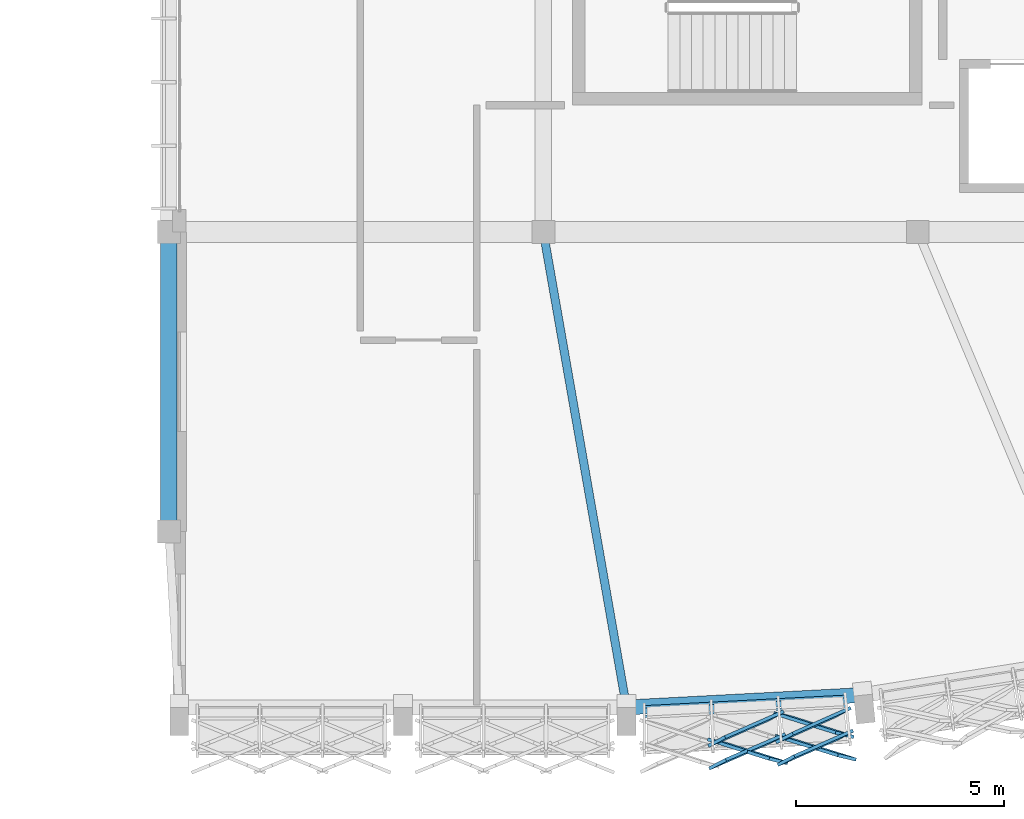
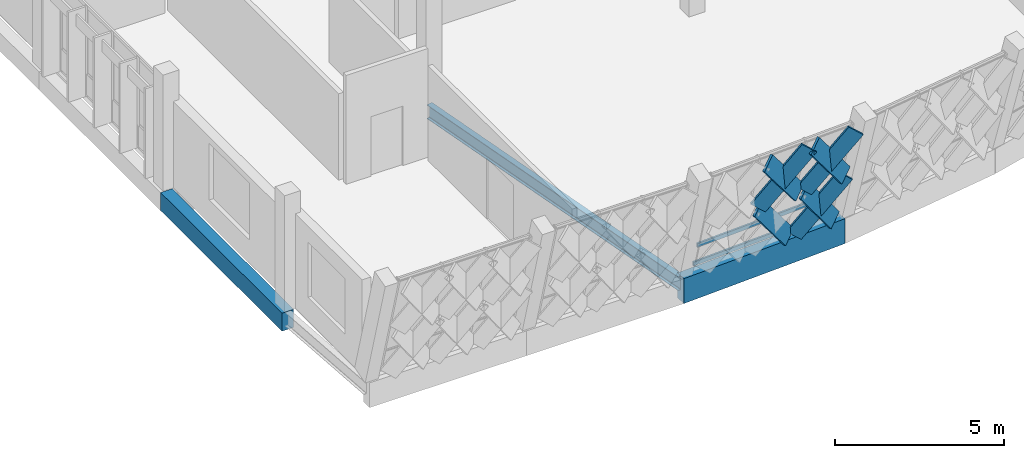
# One storey, part 21 of 94: 9 members, 3 beams, 1 element without a shape of its own.
"""IFC4 building model written with IfcOpenShell, lengths in metres."""

from ifc_helpers import new_model, si_unit, direction, frame, origin, origin_2d, place, context, subcontext, project, spatial, rectangle, hollow_rectangle, i_section, extrude, material, material_profile, profile_set, type_object, element, aggregate, save


model = new_model("IFC4")

# Units and contexts
model_context = context("Model", 3, precision=1e-05, world=origin(), true_north=direction((0.0, 1.0)))
body_context = subcontext(model_context, "Body", "Model", "MODEL_VIEW")
ifc_project = project(units=[si_unit("LENGTHUNIT", "METRE"), si_unit("AREAUNIT", "SQUARE_METRE"), si_unit("VOLUMEUNIT", "CUBIC_METRE"), si_unit("PLANEANGLEUNIT", "RADIAN"), si_unit("MASSUNIT", "GRAM", prefix="KILO")], contexts=[model_context])

# Site, building, storey
site_placement = place(None, origin())
site = spatial("IfcSite", under=ifc_project, at=site_placement, CompositionType="ELEMENT")
building_placement = place(site_placement, origin())
building = spatial("IfcBuilding", under=site, at=building_placement, Name="Chiffa Square Polytechnic", CompositionType="ELEMENT")
storey_placement = place(building_placement, frame((0.0, 0.0, 18.0)))
storey = spatial("IfcBuildingStorey", under=building, at=storey_placement, Name="L04", CompositionType="ELEMENT", Elevation=18.0)

# Beams
ifc_material_1 = material(Name="Concrete C35/45", Category="concrete")
ifc_material_profile_1 = material_profile(ifc_material_1, rectangle(XDim=0.39990234375, YDim=0.64990234375, at=origin_2d()), Name="RC 400x650")
ifc_profile_set_1 = profile_set([ifc_material_profile_1], Name="Concrete C35/45")
beam_type_1 = type_object("IfcBeamType", Name="BM-RC-400X650", PredefinedType="BEAM", material=ifc_profile_set_1)
beam_1_placement = place(storey_placement, frame((112.199951171875, 7.199951171875, -0.56494140625), z_axis=(0.0, 1.0, 0.0), x_axis=(-1.0, 0.0, 0.0)))
element("IfcBeam", 1, at=beam_1_placement, inside=storey, type_object=beam_type_1, Name="Primary floor girder BM-V1-L04-Y-1122-0072", PredefinedType="BEAM", context=body_context, shape_type="SweptSolid", body=[
    extrude(rectangle(XDim=0.39990234375, YDim=0.64990234375, at=origin_2d()), origin(), (0.0, 0.0, 1.0), 7.199951171875),
])
ifc_material_2 = material(Name="Steel S355", Category="steel")
ifc_material_profile_2 = material_profile(ifc_material_2, i_section(OverallWidth=0.199951171875, OverallDepth=0.5, WebThickness=0.01025390625, FlangeThickness=0.01611328125, FilletRadius=0.02099609375, at=origin_2d()), Name="IPE 500")
ifc_profile_set_2 = profile_set([ifc_material_profile_2], Name="Steel S355")
beam_type_2 = type_object("IfcBeamType", Name="BM-STL-IPE500", PredefinedType="BEAM", material=ifc_profile_set_2)
beam_2_placement = place(storey_placement, frame((123.199951171875, 2.972900390625, -0.489990234375), z_axis=(-0.172403304165, 0.985026446707, 0.0), x_axis=(-0.985026446707, -0.172403304165, 0.0)))
element("IfcBeam", 2, at=beam_2_placement, inside=storey, type_object=beam_type_2, Name="Prow radial tie girder BM-V1-RAD-L04-03", PredefinedType="BEAM", context=body_context, shape_type="SweptSolid", body=[
    extrude(i_section(OverallWidth=0.199951171875, OverallDepth=0.5, WebThickness=0.01025390625, FlangeThickness=0.01611328125, FilletRadius=0.02099609375, at=origin_2d()), origin(), (0.0, 0.0, 1.0), 11.6005859375),
])

# Curtain wall, members
ifc_material_3 = material(Name="Aluminium EN AW-6060 T66 and glulam shading", Category="wood")
curtain_wall_type = type_object("IfcCurtainWallType", Name="CW-PROW-LEAN-150", PredefinedType="USERDEFINED", material=ifc_material_3)
curtain_wall_placement = place(storey_placement, origin())
curtain_wall = element("IfcCurtainWall", 3, at=curtain_wall_placement, inside=storey, type_object=curtain_wall_type, Name="Outward-leaning diamond-fin prow curtain wall CW-V1-L04-063", ObjectType="CURTAIN WALL", PredefinedType="USERDEFINED")
ifc_material_4 = material(Name="Glulam GL28h", Category="wood")
ifc_material_profile_3 = material_profile(ifc_material_4, rectangle(XDim=0.080078125, YDim=0.580078125, at=origin_2d()), Name="GL28h 80x580")
ifc_profile_set_3 = profile_set([ifc_material_profile_3], Name="Glulam GL28h")
member_type_1 = type_object("IfcMemberType", Name="CWM-GL-80X580", PredefinedType="MULLION", material=ifc_profile_set_3)
member_1_placement = place(storey_placement, frame((126.778076171875, 2.77392578125, 0.0400390625), z_axis=(-0.571609034533, -0.250918972801, 0.781218779043), x_axis=(0.438834744798, -0.897973644205, 0.032671104526)))
member_1 = element("IfcMember", 4, at=member_1_placement, type_object=member_type_1, Name="Diamond glulam fin CW-V1-L04-063-DF03B", PredefinedType="MULLION", context=body_context, shape_type="SweptSolid", body=[
    extrude(rectangle(XDim=0.080078125, YDim=0.580078125, at=origin_2d()), origin(), (0.0, 0.0, 1.0), 2.470458984375),
])
member_2_placement = place(storey_placement, frame((125.365966796875, 2.154052734375, 1.969970703125), z_axis=(0.599098982019, -0.189070008947, 0.778031452745), x_axis=(0.261715287727, 0.964584933766, 0.032878773102)))
member_2 = element("IfcMember", 5, at=member_2_placement, type_object=member_type_1, Name="Diamond glulam fin CW-V1-L04-063-DF04A", PredefinedType="MULLION", context=body_context, shape_type="SweptSolid", body=[
    extrude(rectangle(XDim=0.080078125, YDim=0.580078125, at=origin_2d()), origin(), (0.0, 0.0, 1.0), 2.48046875),
])
member_3_placement = place(storey_placement, frame((126.81494140625, 2.22900390625, 1.969970703125), z_axis=(-0.576159054604, -0.250033145172, 0.778154335664), x_axis=(0.434909275919, -0.899874119966, 0.032870806735)))
member_3 = element("IfcMember", 6, at=member_3_placement, type_object=member_type_1, Name="Diamond glulam fin CW-V1-L04-063-DF04B", PredefinedType="MULLION", context=body_context, shape_type="SweptSolid", body=[
    extrude(rectangle(XDim=0.080078125, YDim=0.580078125, at=origin_2d()), origin(), (0.0, 0.0, 1.0), 2.480224609375),
])
member_4_placement = place(storey_placement, frame((126.955078125, 2.782958984375, 0.0400390625), z_axis=(0.5996033999, -0.188980825465, 0.777664458771), x_axis=(0.261370176288, 0.96467769406, 0.03290254596)))
member_4 = element("IfcMember", 7, at=member_4_placement, type_object=member_type_1, Name="Diamond glulam fin CW-V1-L04-063-DF05A", PredefinedType="MULLION", context=body_context, shape_type="SweptSolid", body=[
    extrude(rectangle(XDim=0.080078125, YDim=0.580078125, at=origin_2d()), origin(), (0.0, 0.0, 1.0), 2.481689453125),
])
member_5_placement = place(storey_placement, frame((128.386962890625, 2.85791015625, 0.0400390625), z_axis=(-0.566441480449, -0.251652497886, 0.784738854355), x_axis=(0.442981039227, -0.895943913569, 0.032439214286)))
member_5 = element("IfcMember", 8, at=member_5_placement, type_object=member_type_1, Name="Diamond glulam fin CW-V1-L04-063-DF05B", PredefinedType="MULLION", context=body_context, shape_type="SweptSolid", body=[
    extrude(rectangle(XDim=0.080078125, YDim=0.580078125, at=origin_2d()), origin(), (0.0, 0.0, 1.0), 2.459228515625),
])
member_6_placement = place(storey_placement, frame((126.993896484375, 2.239013671875, 1.969970703125), z_axis=(0.604031203851, -0.187822841489, 0.774512030242), x_axis=(0.25781166636, 0.965627860323, 0.033105589516)))
member_6 = element("IfcMember", 9, at=member_6_placement, type_object=member_type_1, Name="Diamond glulam fin CW-V1-L04-063-DF06A", PredefinedType="MULLION", context=body_context, shape_type="SweptSolid", body=[
    extrude(rectangle(XDim=0.080078125, YDim=0.580078125, at=origin_2d()), origin(), (0.0, 0.0, 1.0), 2.49169921875),
])
member_7_placement = place(storey_placement, frame((128.443115234375, 2.31396484375, 1.969970703125), z_axis=(-0.571133046489, -0.25066175084, 0.781649365044), x_axis=(0.438791734953, -0.897995687912, 0.032642883267)))
member_7 = element("IfcMember", 10, at=member_7_placement, type_object=member_type_1, Name="Diamond glulam fin CW-V1-L04-063-DF06B", PredefinedType="MULLION", context=body_context, shape_type="SweptSolid", body=[
    extrude(rectangle(XDim=0.080078125, YDim=0.580078125, at=origin_2d()), origin(), (0.0, 0.0, 1.0), 2.468994140625),
])
ifc_material_5 = material(Name="Aluminium EN AW-6060 T66", Category="aluminium")
ifc_material_profile_4 = material_profile(ifc_material_5, hollow_rectangle(XDim=0.06494140625, YDim=0.139892578125, WallThickness=0.00390625, at=origin_2d()), Name="ALU 65x140x4")
ifc_profile_set_4 = profile_set([ifc_material_profile_4], Name="Aluminium EN AW-6060 T66")
member_type_2 = type_object("IfcMemberType", Name="CWT-ALU-75X140", PredefinedType="USERDEFINED", material=ifc_profile_set_4)
member_8_placement = place(storey_placement, frame((123.62890625, 2.984619140625, 0.0400390625), z_axis=(0.998638123813, 0.052171809129, 0.0), x_axis=(-0.052171809129, 0.998638123813, 0.0)))
member_8 = element("IfcMember", 11, at=member_8_placement, type_object=member_type_2, Name="Leaning prow transom CW-V1-L04-063-T01", ObjectType="TRANSOM", PredefinedType="USERDEFINED", context=body_context, shape_type="SweptSolid", body=[
    extrude(hollow_rectangle(XDim=0.06494140625, YDim=0.139892578125, WallThickness=0.00390625, at=origin_2d()), origin(), (0.0, 0.0, 1.0), 4.833984375),
])
member_9_placement = place(storey_placement, frame((123.62890625, 2.755615234375, 0.85009765625), z_axis=(0.998640917822, 0.052118300543, 0.0), x_axis=(-0.052118300543, 0.998640917822, 0.0)))
member_9 = element("IfcMember", 12, at=member_9_placement, type_object=member_type_2, Name="Leaning prow transom CW-V1-L04-063-T02", ObjectType="TRANSOM", PredefinedType="USERDEFINED", context=body_context, shape_type="SweptSolid", body=[
    extrude(hollow_rectangle(XDim=0.06494140625, YDim=0.139892578125, WallThickness=0.00390625, at=origin_2d()), origin(), (0.0, 0.0, 1.0), 4.857666015625),
])
aggregate(curtain_wall, [member_8, member_9, member_1, member_2, member_3, member_4, member_5, member_6, member_7])

# Beam
ifc_material_6 = material(Name="Glulam GL32c", Category="wood")
ifc_material_profile_5 = material_profile(ifc_material_6, rectangle(XDim=0.360107421875, YDim=0.89990234375, at=origin_2d()), Name="GL32c 360x900")
ifc_profile_set_5 = profile_set([ifc_material_profile_5], Name="Glulam GL32c")
beam_type_3 = type_object("IfcBeamType", Name="RB-GL-360X900", PredefinedType="SPANDREL", material=ifc_profile_set_5)
beam_3_placement = place(storey_placement, frame((123.199951171875, 2.972900390625, -0.68994140625), z_axis=(0.998627646363, 0.052371976471, 0.0), x_axis=(-0.052371976471, 0.998627646363, 0.0)))
element("IfcBeam", 13, at=beam_3_placement, inside=storey, type_object=beam_type_3, Name="Prow perimeter edge beam RB-V1-PROW-L04-03", PredefinedType="SPANDREL", context=body_context, shape_type="SweptSolid", body=[
    extrude(rectangle(XDim=0.360107421875, YDim=0.89990234375, at=origin_2d()), origin(), (0.0, 0.0, 1.0), 5.69189453125),
])

save(model, "model.ifc")
